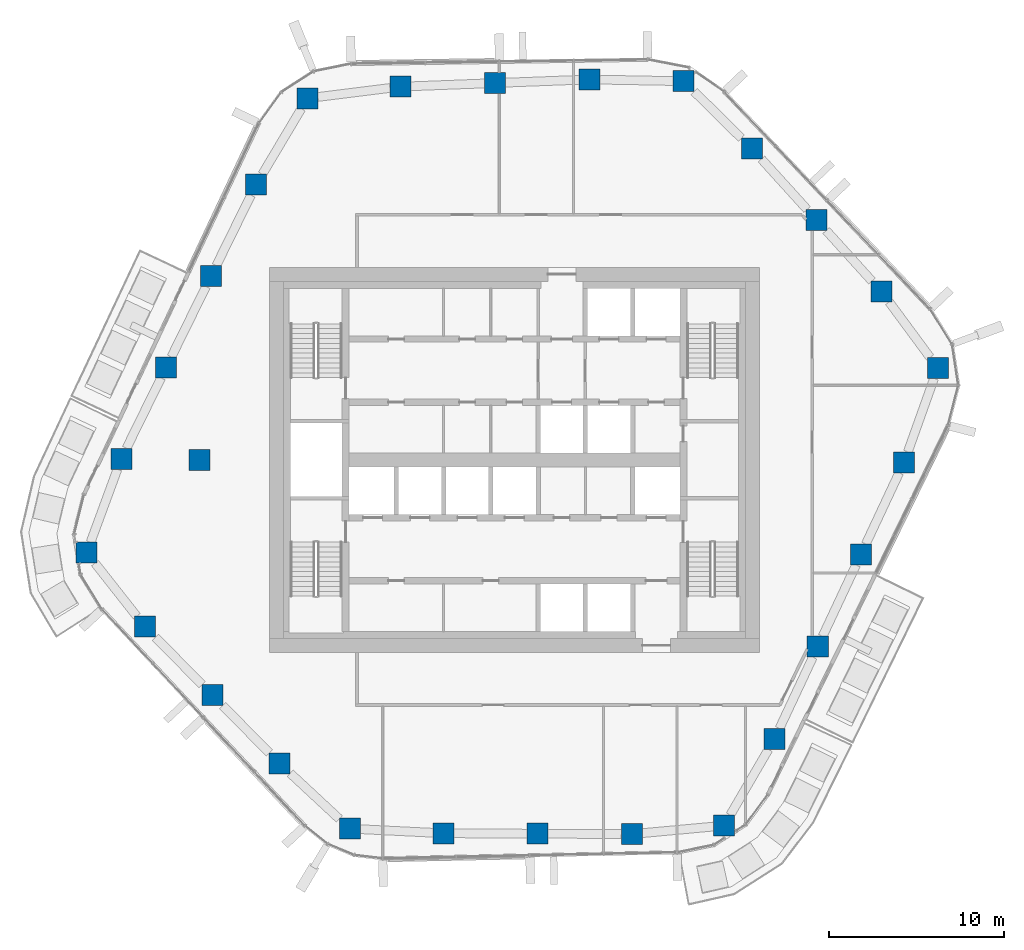
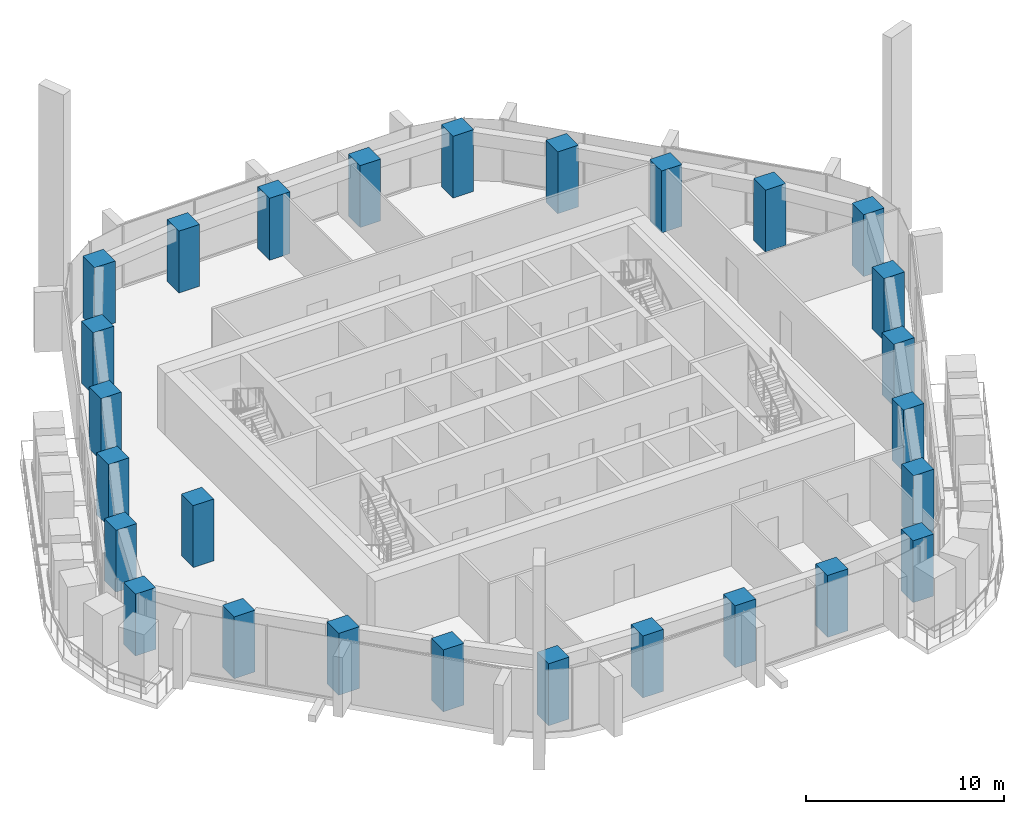
# One storey, part 1 of 18: 27 columns.
"""IFC4 building model written with IfcOpenShell, lengths in metres."""

from ifc_helpers import new_model, si_unit, direction, frame, origin, origin_2d, place, context, subcontext, project, spatial, rectangle, extrude, material, material_profile, profile_set, type_object, element, save


model = new_model("IFC4")

# Units and contexts
model_context = context("Model", 3, precision=1e-05, world=origin(), true_north=direction((0.0, 1.0)))
body_context = subcontext(model_context, "Body", "Model", "MODEL_VIEW")
ifc_project = project(units=[si_unit("LENGTHUNIT", "METRE"), si_unit("AREAUNIT", "SQUARE_METRE"), si_unit("VOLUMEUNIT", "CUBIC_METRE"), si_unit("PLANEANGLEUNIT", "RADIAN"), si_unit("MASSUNIT", "GRAM", prefix="KILO")], contexts=[model_context])

# Site, building, storey
site_placement = place(None, origin())
site = spatial("IfcSite", under=ifc_project, at=site_placement, CompositionType="ELEMENT")
building_placement = place(site_placement, origin())
building = spatial("IfcBuilding", under=site, at=building_placement, Name="Dongbaek Canopy Tower", CompositionType="ELEMENT")
storey_placement = place(building_placement, frame((0.0, 0.0, 158.60009765625)))
storey = spatial("IfcBuildingStorey", under=building, at=storey_placement, Name="L34", CompositionType="ELEMENT", Elevation=158.60009765625)

# Columns
ifc_material = material(Name="Concrete C70", Category="concrete")
ifc_material_profile = material_profile(ifc_material, rectangle(XDim=1.199951171875, YDim=1.199951171875, at=origin_2d()), Name="RC COLUMN 1200x1200 C70")
ifc_profile_set = profile_set([ifc_material_profile], Name="Concrete C70")
column_type = type_object("IfcColumnType", Name="RC COLUMN 1200x1200 C70", PredefinedType="COLUMN", material=ifc_profile_set)
for number, where, z_axis, x_axis, name in (
    (1, (11.971923828125, -20.885009765625, 0.0), (0.0, 0.0, 1.0), (1.0, 0.0, 0.0), "COL:CZ3-01:L34"),
    (2, (6.697998046875, -21.3720703125, 0.0), (0.0, 0.0, 1.0), (1.0, 0.0, 0.0), "COL:CZ3-02:L34"),
    (3, (1.321044921875, -21.347900390625, 0.0), (0.0, 0.0, 1.0), (1.0, 0.0, 0.0), "COL:CZ3-03:L34"),
    (4, (-4.054931640625, -21.323974609375, 0.0), (0.0, 0.0, 1.0), (1.0, 0.0, 0.0), "COL:CZ3-04:L34"),
    (5, (-9.407958984375, -21.06103515625, 0.0), (0.0, 0.0, 1.0), (1.0, 0.0, 0.0), "COL:CZ3-05:L34"),
    (6, (-13.409912109375, -17.339111328125, 0.0), (0.0, 0.0, 1.0), (1.0, 0.0, 0.0), "COL:CZ3-06:L34"),
    (7, (-17.258056640625, -13.431884765625, 0.0), (0.0, 0.0, 1.0), (1.0, 0.0, 0.0), "COL:CZ3-07:L34"),
    (8, (-21.10595703125, -9.52490234375, 0.0), (0.0, 0.0, 1.0), (1.0, 0.0, 0.0), "COL:CZ3-08:L34"),
    (9, (-24.43505859375, -5.2939453125, 0.0), (0.0, 0.0, 1.0), (1.0, 0.0, 0.0), "COL:CZ3-09:L34"),
    (10, (-22.4619140625, 0.06689453125, 0.0), (0.0, 0.0, 1.0), (1.0, 0.0, 0.0), "COL:CZ3-10:L34"),
    (11, (-19.89599609375, 5.287109375, 0.0), (0.0, 0.0, 1.0), (1.0, 0.0, 0.0), "COL:CZ3-11:L34"),
    (12, (-17.327880859375, 10.5048828125, 0.0), (0.0, 0.0, 1.0), (1.0, 0.0, 0.0), "COL:CZ3-12:L34"),
    (13, (-14.761962890625, 15.72412109375, 0.0), (0.0, 0.0, 1.0), (1.0, 0.0, 0.0), "COL:CZ3-13:L34"),
    (14, (-11.822998046875, 20.660888671875, 0.0), (0.0, 0.0, 1.0), (1.0, 0.0, 0.0), "COL:CZ3-14:L34"),
    (15, (-6.52197265625, 21.322998046875, 0.0), (0.0, 0.0, 1.0), (1.0, 0.0, 0.0), "COL:CZ3-15:L34"),
    (16, (-1.113037109375, 21.530029296875, 0.0), (0.0, 0.0, 1.0), (1.0, 0.0, 0.0), "COL:CZ3-16:L34"),
    (17, (4.294921875, 21.736083984375, 0.0), (0.0, 0.0, 1.0), (1.0, 0.0, 0.0), "COL:CZ3-17:L34"),
    (18, (9.666015625, 21.635009765625, 0.0), (0.0, 0.0, 1.0), (1.0, 0.0, 0.0), "COL:CZ3-18:L34"),
    (19, (13.56005859375, 17.7919921875, 0.0), (0.0, 0.0, 1.0), (1.0, 0.0, 0.0), "COL:CZ3-19:L34"),
    (20, (17.260986328125, 13.7060546875, 0.0), (0.0, 0.0, 1.0), (1.0, 0.0, 0.0), "COL:CZ3-20:L34"),
    (21, (20.9599609375, 9.62109375, 0.0), (0.0, 0.0, 1.0), (1.0, 0.0, 0.0), "COL:CZ3-21:L34"),
    (22, (24.179931640625, 5.257080078125, 0.0), (0.0, 0.0, 1.0), (1.0, 0.0, 0.0), "COL:CZ3-22:L34"),
    (23, (22.25390625, -0.134033203125, 0.0), (0.0, 0.0, 1.0), (1.0, 0.0, 0.0), "COL:CZ3-23:L34"),
    (24, (19.7880859375, -5.39892578125, 0.0), (0.0, 0.0, 1.0), (1.0, 0.0, 0.0), "COL:CZ3-24:L34"),
    (25, (17.322021484375, -10.666015625, 0.0), (0.0, 0.0, 1.0), (1.0, 0.0, 0.0), "COL:CZ3-25:L34"),
    (26, (14.85498046875, -15.931884765625, 0.0), (0.0, 0.0, 1.0), (1.0, 0.0, 0.0), "COL:CZ3-26:L34"),
    (27, (-18.0, 0.0, 0.0), (0.0, 0.0, 1.0), (1.0, 0.0, 0.0), "COL:CIZ3-01:L34"),
):
    element("IfcColumn", number, at=place(storey_placement, frame(where, z_axis=z_axis, x_axis=x_axis)), inside=storey, type_object=column_type, Name=name, PredefinedType="COLUMN", context=body_context, shape_type="SweptSolid", body=[
        extrude(rectangle(XDim=1.199951171875, YDim=1.199951171875, at=origin_2d()), origin(), (0.0, 0.0, 1.0), 3.81982421875),
    ])

save(model, "model.ifc")
